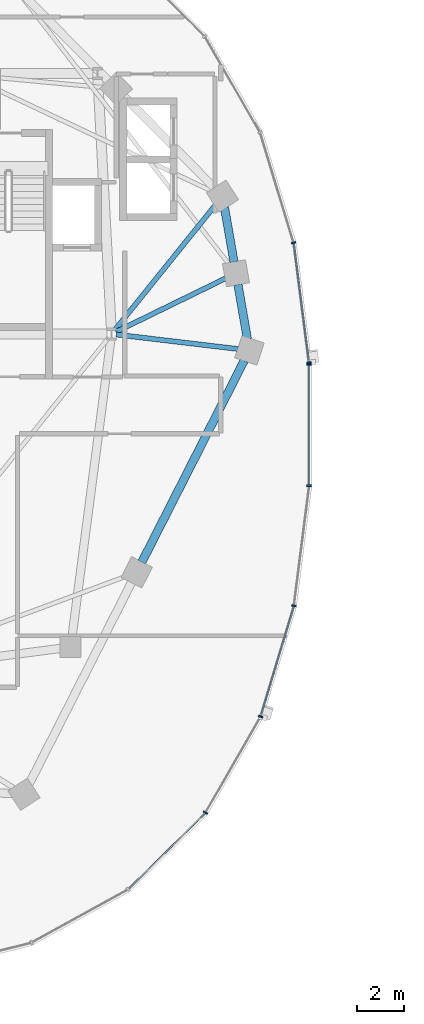
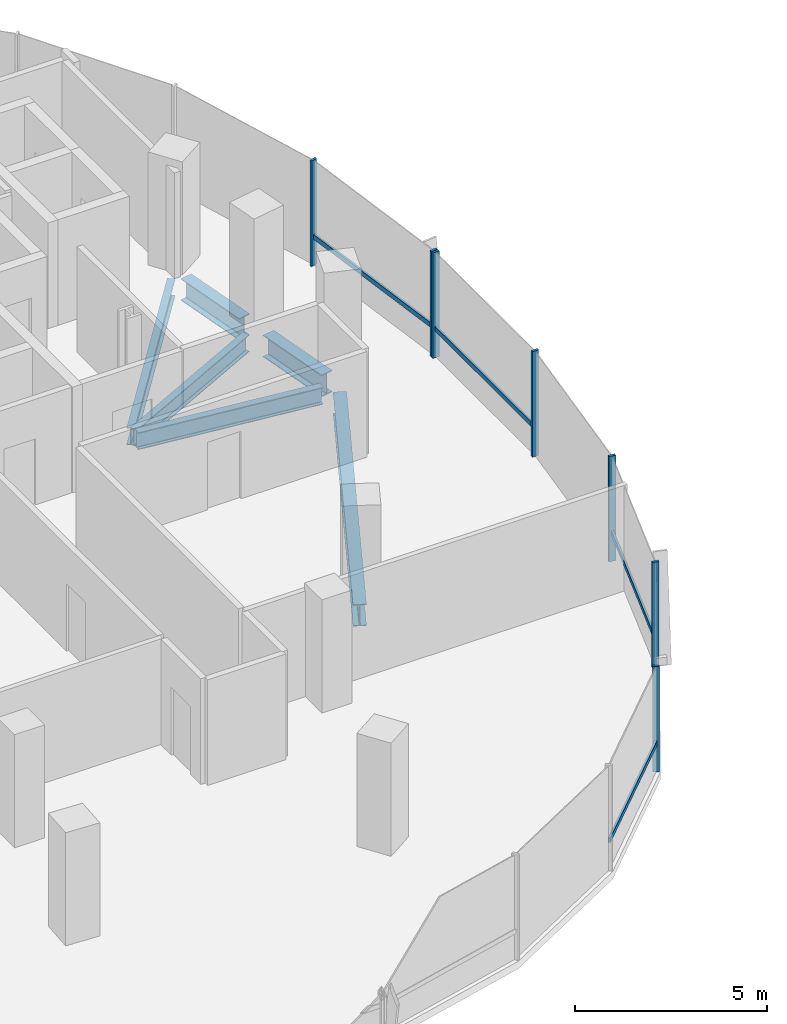
# One storey, part 4 of 22: 11 members, 6 beams, 2 elements without a shape of their own.
"""IFC4 building model written with IfcOpenShell, lengths in metres."""

from ifc_helpers import new_model, si_unit, direction, frame, origin, origin_2d, place, context, subcontext, project, spatial, rectangle, i_section, extrude, material, material_profile, profile_set, type_object, element, aggregate, save


model = new_model("IFC4")

# Units and contexts
model_context = context("Model", 3, precision=1e-05, world=origin(), true_north=direction((0.0, 1.0)))
body_context = subcontext(model_context, "Body", "Model", "MODEL_VIEW")
ifc_project = project(units=[si_unit("LENGTHUNIT", "METRE"), si_unit("AREAUNIT", "SQUARE_METRE"), si_unit("VOLUMEUNIT", "CUBIC_METRE"), si_unit("PLANEANGLEUNIT", "RADIAN"), si_unit("MASSUNIT", "GRAM", prefix="KILO"), si_unit("THERMODYNAMICTEMPERATUREUNIT", "KELVIN"), si_unit("POWERUNIT", "WATT")], contexts=[model_context])

# Site, building, storey
site_placement = place(None, origin())
site = spatial("IfcSite", under=ifc_project, at=site_placement, CompositionType="ELEMENT")
building_placement = place(site_placement, origin())
building = spatial("IfcBuilding", under=site, at=building_placement, Name="Cundina Bronze Exchange", CompositionType="ELEMENT")
storey_placement = place(building_placement, frame((0.0, 0.0, 151.199951171875)))
storey = spatial("IfcBuildingStorey", under=building, at=storey_placement, Name="L39", CompositionType="ELEMENT", Elevation=151.199951171875)

# Beams
ifc_material_1 = material(Name="Steel ASTM A992 Grade 50", Category="steel")
ifc_material_profile_1 = material_profile(ifc_material_1, i_section(OverallWidth=0.2119140625, OverallDepth=0.5439453125, WebThickness=0.01318359375, FlangeThickness=0.021240234375, FilletRadius=0.013916015625, at=origin_2d()), Name="W21X83", Category="steel")
ifc_profile_set_1 = profile_set([ifc_material_profile_1], Name="Steel ASTM A992 Grade 50")
beam_type_1 = type_object("IfcBeamType", Name="BM-FLR-W21A", PredefinedType="BEAM", material=ifc_profile_set_1)
beam_1_placement = place(storey_placement, frame((-21.247314453125, 3.8759765625, -0.511962890625), z_axis=(0.993036158382, -0.11780996624, 0.0), x_axis=(0.11780996624, 0.993036158382, 0.0)))
element("IfcBeam", 1, at=beam_1_placement, inside=storey, type_object=beam_type_1, Name="L39 Leg W Radial Floor Beam 00", PredefinedType="BEAM", context=body_context, shape_type="SweptSolid", body=[
    extrude(i_section(OverallWidth=0.2119140625, OverallDepth=0.5439453125, WebThickness=0.01318359375, FlangeThickness=0.021240234375, FilletRadius=0.013916015625, at=origin_2d()), origin(), (0.0, 0.0, 1.0), 5.249267578125),
])
beam_2_placement = place(storey_placement, frame((-21.2666015625, 3.989501953125, -0.511962890625), z_axis=(0.898604300669, 0.438759969481, 0.0), x_axis=(-0.438759969481, 0.898604300669, 0.0)))
element("IfcBeam", 2, at=beam_2_placement, inside=storey, type_object=beam_type_1, Name="L39 Leg W Radial Floor Beam 01", PredefinedType="BEAM", context=body_context, shape_type="SweptSolid", body=[
    extrude(i_section(OverallWidth=0.2119140625, OverallDepth=0.5439453125, WebThickness=0.01318359375, FlangeThickness=0.021240234375, FilletRadius=0.013916015625, at=origin_2d()), origin(), (0.0, 0.0, 1.0), 5.23388671875),
])
beam_3_placement = place(storey_placement, frame((-21.322021484375, 4.058837890625, -0.511962890625), z_axis=(0.627088684379, 0.778947868553, 0.0), x_axis=(-0.778947868553, 0.627088684379, 0.0)))
element("IfcBeam", 3, at=beam_3_placement, inside=storey, type_object=beam_type_1, Name="L39 Leg W Radial Floor Beam 02", PredefinedType="BEAM", context=body_context, shape_type="SweptSolid", body=[
    extrude(i_section(OverallWidth=0.2119140625, OverallDepth=0.5439453125, WebThickness=0.01318359375, FlangeThickness=0.021240234375, FilletRadius=0.013916015625, at=origin_2d()), origin(), (0.0, 0.0, 1.0), 6.882568359375),
])
ifc_material_profile_2 = material_profile(ifc_material_1, i_section(OverallWidth=0.35498046875, OverallDepth=0.695068359375, WebThickness=0.015380859375, FlangeThickness=0.02490234375, FilletRadius=0.01806640625, at=origin_2d()), Name="W27X146", Category="steel")
ifc_profile_set_2 = profile_set([ifc_material_profile_2], Name="Steel ASTM A992 Grade 50")
beam_type_2 = type_object("IfcBeamType", Name="BM-RING-W27", PredefinedType="USERDEFINED", material=ifc_profile_set_2)
for number, where, z_axis, x_axis, name in (
    (4, (-15.6337890625, 3.680908203125, -0.58740234375), (-0.171666718895, 0.985155083032, 0.0), (-0.985155083032, -0.171666718895, 0.0), "L39 W Perimeter Ring Girder 00"),
    (5, (-16.208740234375, 6.980712890625, -0.58740234375), (-0.171666718895, 0.985155083032, 0.0), (-0.985155083032, -0.171666718895, 0.0), "L39 W Perimeter Ring Girder 01"),
):
    element("IfcBeam", number, at=place(storey_placement, frame(where, z_axis=z_axis, x_axis=x_axis)), inside=storey, type_object=beam_type_2, Name=name, ObjectType="GIRDER", PredefinedType="USERDEFINED", context=body_context, shape_type="SweptSolid", body=[
        extrude(i_section(OverallWidth=0.35498046875, OverallDepth=0.695068359375, WebThickness=0.015380859375, FlangeThickness=0.02490234375, FilletRadius=0.01806640625, at=origin_2d()), origin(), (0.0, 0.0, 1.0), 2.37353515625),
    ])
beam_4_placement = place(storey_placement, frame((-20.154052734375, -5.864990234375, -0.58740234375), z_axis=(0.452834585354, 0.891594548159, 0.0), x_axis=(-0.891594548159, 0.452834585354, 0.0)))
element("IfcBeam", 6, at=beam_4_placement, inside=storey, type_object=beam_type_2, Name="L39 W Perimeter Ring Girder 13", ObjectType="GIRDER", PredefinedType="USERDEFINED", context=body_context, shape_type="SweptSolid", body=[
    extrude(i_section(OverallWidth=0.35498046875, OverallDepth=0.695068359375, WebThickness=0.015380859375, FlangeThickness=0.02490234375, FilletRadius=0.01806640625, at=origin_2d()), origin(), (0.0, 0.0, 1.0), 9.67919921875),
])

# Curtain wall, members
ifc_material_2 = material(Name="Anodised Bronze Aluminium 6063-T6", Category="aluminium")
curtain_wall_type = type_object("IfcCurtainWallType", Name="CWS-WST-PIN", PredefinedType="NOTDEFINED", material=ifc_material_2)
curtain_wall_1_placement = place(storey_placement, origin())
curtain_wall_1 = element("IfcCurtainWall", 7, at=curtain_wall_1_placement, inside=storey, type_object=curtain_wall_type, Name="L39 CW-04 Curtain Wall Run CWR-L39-W1", PredefinedType="NOTDEFINED")
ifc_material_profile_3 = material_profile(ifc_material_2, rectangle(XDim=0.070068359375, YDim=0.18994140625, at=origin_2d()), Name="AL70X190", Category="aluminium")
ifc_profile_set_3 = profile_set([ifc_material_profile_3], Name="Anodised Bronze Aluminium 6063-T6")
member_type_1 = type_object("IfcMemberType", Name="CWM-MUL-190", PredefinedType="MULLION", material=ifc_profile_set_3)
member_1_placement = place(storey_placement, frame((-12.998291015625, 2.676025390625, 0.0), z_axis=(0.0, 0.0, 1.0), x_axis=(-0.126545236492, 0.991960837494, 0.0)))
member_1 = element("IfcMember", 8, at=member_1_placement, type_object=member_type_1, Name="CW-04 Mullion 1", PredefinedType="MULLION", context=body_context, shape_type="SweptSolid", body=[
    extrude(rectangle(XDim=0.070068359375, YDim=0.18994140625, at=origin_2d()), origin(), (0.0, 0.0, 1.0), 3.360107421875),
])
member_2_placement = place(storey_placement, frame((-13.6591796875, 7.80859375, 0.0), z_axis=(0.0, 0.0, 1.0), x_axis=(-0.290034140915, 0.957016299288, 0.0)))
member_2 = element("IfcMember", 9, at=member_2_placement, type_object=member_type_1, Name="CW-04 Mullion 2", PredefinedType="MULLION", context=body_context, shape_type="SweptSolid", body=[
    extrude(rectangle(XDim=0.070068359375, YDim=0.18994140625, at=origin_2d()), origin(), (0.0, 0.0, 1.0), 3.360107421875),
])

curtain_wall_2_placement = place(storey_placement, origin())
curtain_wall_2 = element("IfcCurtainWall", 10, at=curtain_wall_2_placement, inside=storey, type_object=curtain_wall_type, Name="L39 CW-04 Curtain Wall Run CWR-L39-W4", PredefinedType="NOTDEFINED")
member_3_placement = place(storey_placement, frame((-17.42919921875, -16.588134765625, 0.0), z_axis=(0.0, 0.0, 1.0), x_axis=(0.498487739754, 0.866896748936, 0.0)))
member_3 = element("IfcMember", 11, at=member_3_placement, type_object=member_type_1, Name="CW-04 Mullion 4", PredefinedType="MULLION", context=body_context, shape_type="SweptSolid", body=[
    extrude(rectangle(XDim=0.070068359375, YDim=0.18994140625, at=origin_2d()), origin(), (0.0, 0.0, 1.0), 3.360107421875),
])
member_4_placement = place(storey_placement, frame((-15.07373046875, -12.4755859375, 0.0), z_axis=(0.0, 0.0, 1.0), x_axis=(0.290034140915, 0.957016299288, 0.0)))
member_4 = element("IfcMember", 12, at=member_4_placement, type_object=member_type_1, Name="CW-04 Mullion 5", PredefinedType="MULLION", context=body_context, shape_type="SweptSolid", body=[
    extrude(rectangle(XDim=0.070068359375, YDim=0.18994140625, at=origin_2d()), origin(), (0.0, 0.0, 1.0), 3.360107421875),
])
member_5_placement = place(storey_placement, frame((-13.642822265625, -7.731689453125, 0.0), z_axis=(0.0, 0.0, 1.0), x_axis=(0.126545236492, 0.991960837494, 0.0)))
member_5 = element("IfcMember", 13, at=member_5_placement, type_object=member_type_1, Name="CW-04 Mullion 6", PredefinedType="MULLION", context=body_context, shape_type="SweptSolid", body=[
    extrude(rectangle(XDim=0.070068359375, YDim=0.18994140625, at=origin_2d()), origin(), (0.0, 0.0, 1.0), 3.360107421875),
])
member_6_placement = place(storey_placement, frame((-12.992919921875, -2.593017578125, 0.0), z_axis=(0.0, 0.0, 1.0), x_axis=(0.0, 1.0, 0.0)))
member_6 = element("IfcMember", 14, at=member_6_placement, type_object=member_type_1, Name="CW-04 Mullion 7", PredefinedType="MULLION", context=body_context, shape_type="SweptSolid", body=[
    extrude(rectangle(XDim=0.070068359375, YDim=0.18994140625, at=origin_2d()), origin(), (0.0, 0.0, 1.0), 3.360107421875),
])
member_7_placement = place(storey_placement, frame((-12.992919921875, 2.593017578125, 0.0), z_axis=(0.0, 0.0, 1.0), x_axis=(0.0, 1.0, 0.0)))
member_7 = element("IfcMember", 15, at=member_7_placement, type_object=member_type_1, Name="CW-04 End Mullion", PredefinedType="MULLION", context=body_context, shape_type="SweptSolid", body=[
    extrude(rectangle(XDim=0.070068359375, YDim=0.18994140625, at=origin_2d()), origin(), (0.0, 0.0, 1.0), 3.360107421875),
])

# Member
ifc_material_profile_4 = material_profile(ifc_material_2, rectangle(XDim=0.06494140625, YDim=0.14990234375, at=origin_2d()), Name="AL65X150", Category="aluminium")
ifc_profile_set_4 = profile_set([ifc_material_profile_4], Name="Anodised Bronze Aluminium 6063-T6")
member_type_2 = type_object("IfcMemberType", Name="CWM-TRN-150", PredefinedType="USERDEFINED", material=ifc_profile_set_4)
member_8_placement = place(storey_placement, frame((-13.003173828125, 2.71435546875, 0.920166015625), z_axis=(-0.12646340362, 0.991971273548, 0.0), x_axis=(-0.991971273548, -0.12646340362, 0.0)))
member_8 = element("IfcMember", 16, at=member_8_placement, type_object=member_type_2, Name="CW-04 Spandrel Transom 1", ObjectType="TRANSOM", PredefinedType="USERDEFINED", context=body_context, shape_type="SweptSolid", body=[
    extrude(rectangle(XDim=0.06494140625, YDim=0.14990234375, at=origin_2d()), origin(), (0.0, 0.0, 1.0), 5.0966796875),
])

aggregate(curtain_wall_1, [member_1, member_8, member_2])

member_9_placement = place(storey_placement, frame((-20.71337890625, -19.839599609375, 0.920166015625), z_axis=(0.712005023839, 0.702174370102, 0.0), x_axis=(-0.702174370102, 0.712005023839, 0.0)))
member_9 = element("IfcMember", 17, at=member_9_placement, type_object=member_type_2, Name="CW-04 Spandrel Transom 3", ObjectType="TRANSOM", PredefinedType="USERDEFINED", context=body_context, shape_type="SweptSolid", body=[
    extrude(rectangle(XDim=0.06494140625, YDim=0.14990234375, at=origin_2d()), origin(), (0.0, 0.0, 1.0), 4.594482421875),
])

member_10_placement = place(storey_placement, frame((-15.062744140625, -12.43896484375, 0.920166015625), z_axis=(0.290051855969, 0.957010930371, 0.0), x_axis=(-0.957010930371, 0.290051855969, 0.0)))
member_10 = element("IfcMember", 18, at=member_10_placement, type_object=member_type_2, Name="CW-04 Spandrel Transom 5", ObjectType="TRANSOM", PredefinedType="USERDEFINED", context=body_context, shape_type="SweptSolid", body=[
    extrude(rectangle(XDim=0.06494140625, YDim=0.14990234375, at=origin_2d()), origin(), (0.0, 0.0, 1.0), 4.876953125),
])

member_11_placement = place(storey_placement, frame((-12.992919921875, -2.554443359375, 0.920166015625), z_axis=(0.0, 1.0, 0.0), x_axis=(-1.0, 0.0, 0.0)))
member_11 = element("IfcMember", 19, at=member_11_placement, type_object=member_type_2, Name="CW-04 Spandrel Transom 7", ObjectType="TRANSOM", PredefinedType="USERDEFINED", context=body_context, shape_type="SweptSolid", body=[
    extrude(rectangle(XDim=0.06494140625, YDim=0.14990234375, at=origin_2d()), origin(), (0.0, 0.0, 1.0), 5.10888671875),
])

aggregate(curtain_wall_2, [member_9, member_3, member_4, member_10, member_5, member_6, member_7, member_11])

save(model, "model.ifc")
